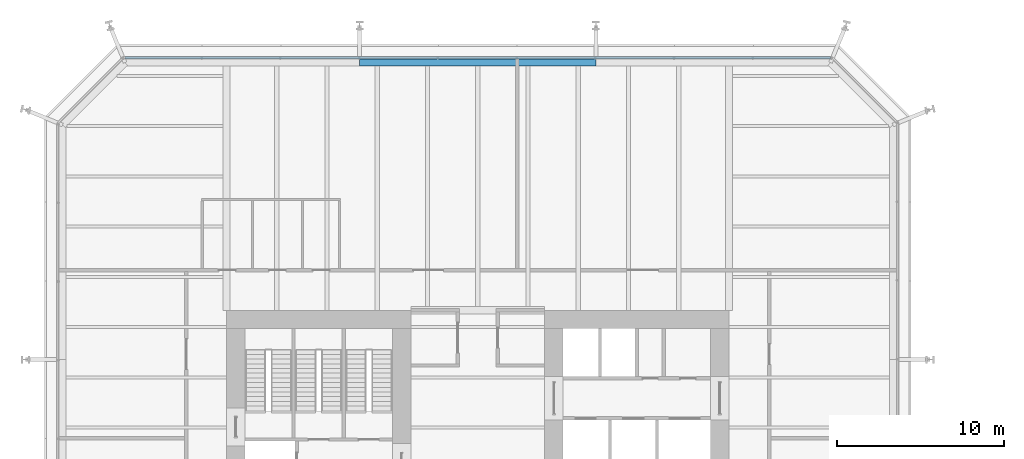
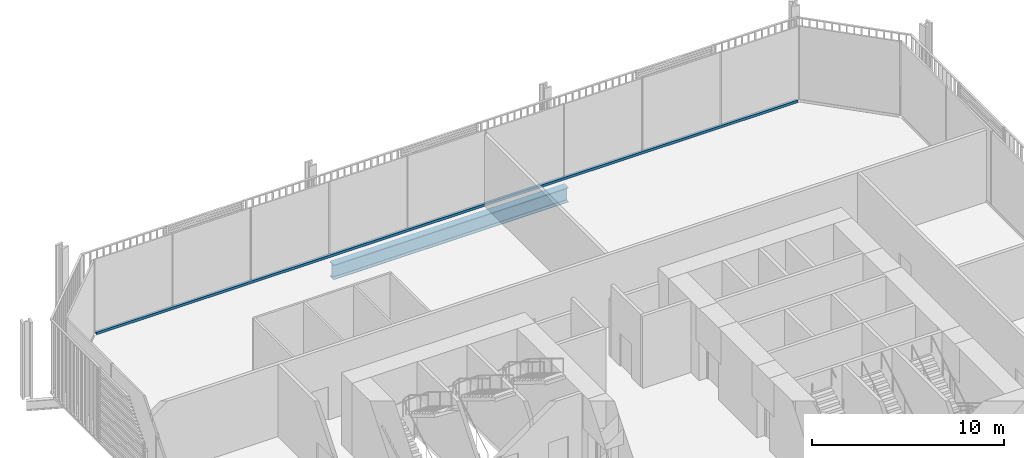
# One storey, part 10 of 21: 1 beam, 1 member, 1 element without a shape of its own.
"""IFC4 building model written with IfcOpenShell, lengths in metres."""

import ifcopenshell
import ifcopenshell.guid

model = None  # the IFC model being written
_history = None  # IfcOwnerHistory: only IFC2X3 demands one
_inside = {}  # id of a spatial element -> (the spatial element, [elements in it])
_under = {}  # id of a project, library or spatial element -> (it, [spatial elements below it])
_declared = {}  # id of a project -> (the project, [libraries it declares])
_typed = {}  # id of a type object -> (the type object, [elements of that type])
_made_of = {}  # id of a material, layer set ... -> (it, [elements and type objects made of it])


def new_model(schema):
    """Start an empty IFC model of exactly this schema.

    Asked for "IFC4X3", IfcOpenShell would pick the latest addendum, in which some entities
    have other attributes; the version numbers below select the first issue.
    IFC2X3 requires an IfcOwnerHistory on every rooted entity: one is made here for all.
    """
    global model, _history
    if schema == "IFC4X3":
        model = ifcopenshell.file(schema_version=(4, 3, 0, 0))
    else:
        model = ifcopenshell.file(schema=schema)
    _inside.clear()
    _under.clear()
    _declared.clear()
    _typed.clear()
    _made_of.clear()
    _history = None
    if model.schema == "IFC2X3":
        org = make("IfcOrganization", Name="unknown")
        user = make(
            "IfcPersonAndOrganization",
            ThePerson=make("IfcPerson", FamilyName="unknown"),
            TheOrganization=org,
        )
        app = make(
            "IfcApplication",
            ApplicationDeveloper=org,
            Version="unknown",
            ApplicationFullName="unknown",
            ApplicationIdentifier="unknown",
        )
        _history = make(
            "IfcOwnerHistory",
            OwningUser=user,
            OwningApplication=app,
            ChangeAction="ADDED",
            CreationDate=0,
        )
    return model


def make(cls, **values):
    """One entity of the class cls with the attributes given. An attribute that is None is left unset."""
    return model.create_entity(
        cls, **{name: value for name, value in values.items() if value is not None}
    )


def rooted(cls, **values):
    """An entity with a GlobalId (a new one), such as an element, a storey or a relation."""
    return make(cls, GlobalId=ifcopenshell.guid.new(), OwnerHistory=_history, **values)


def si_unit(unit_type, name, prefix=None):
    """IfcSIUnit, for example si_unit("LENGTHUNIT", "METRE", prefix="MILLI")."""
    return make("IfcSIUnit", UnitType=unit_type, Prefix=prefix, Name=name)


def assignment(units):
    """IfcUnitAssignment: the units of a project."""
    return None if units is None else make("IfcUnitAssignment", Units=units)


def point(xyz):
    """IfcCartesianPoint."""
    return None if xyz is None else make("IfcCartesianPoint", Coordinates=xyz)


def direction(xyz):
    """IfcDirection."""
    return None if xyz is None else make("IfcDirection", DirectionRatios=xyz)


def frame(location, z_axis=None, x_axis=None):
    """IfcAxis2Placement3D, a coordinate frame: its origin and axes. An axis left out is left unset."""
    return make(
        "IfcAxis2Placement3D",
        Location=point(location),
        Axis=direction(z_axis),
        RefDirection=direction(x_axis),
    )


def frame_2d(location, x_axis=None):
    """IfcAxis2Placement2D, a coordinate frame in the plane: its origin and x axis."""
    return make(
        "IfcAxis2Placement2D", Location=point(location), RefDirection=direction(x_axis)
    )


def origin():
    """The frame at (0, 0, 0) with its axes left unset."""
    return frame((0.0, 0.0, 0.0))


def origin_2d():
    """The frame at (0, 0) in the plane with its x axis left unset."""
    return frame_2d((0.0, 0.0))


def place(relative_to, where):
    """IfcLocalPlacement: puts the frame where relative to a parent placement (None: the world)."""
    return make(
        "IfcLocalPlacement", PlacementRelTo=relative_to, RelativePlacement=where
    )


def context(
    kind, dimensions, precision=None, world=None, true_north=None, identifier=None
):
    """IfcGeometricRepresentationContext, for example the 3D "Model" context."""
    return make(
        "IfcGeometricRepresentationContext",
        ContextIdentifier=identifier,
        ContextType=kind,
        CoordinateSpaceDimension=dimensions,
        Precision=precision,
        WorldCoordinateSystem=world,
        TrueNorth=true_north,
    )


def subcontext(parent, identifier, kind, view, scale=None):
    """IfcGeometricRepresentationSubContext, for example "Body" below "Model"."""
    return make(
        "IfcGeometricRepresentationSubContext",
        ContextIdentifier=identifier,
        ContextType=kind,
        ParentContext=parent,
        TargetScale=scale,
        TargetView=view,
    )


def project(units=None, contexts=None):
    """IfcProject with its units and contexts."""
    return rooted(
        "IfcProject",
        Name="project",
        RepresentationContexts=contexts,
        UnitsInContext=assignment(units),
    )


def spatial(cls, under=None, at=None, **own):
    """A site, building, storey or space (cls), placed at a placement, below another one or the project."""
    s = rooted(cls, ObjectPlacement=at, **own)
    if under is not None:
        _under.setdefault(under.id(), (under, []))[1].append(s)
    return s


def profile(cls, at=None, kind="AREA", **sizes):
    """A parametric profile (cls). Its sizes go by their IFC names, for example OverallWidth=200.0."""
    return make(cls, ProfileType=kind, Position=at, **sizes)


def rectangle(**sizes):
    """IfcRectangleProfileDef."""
    return profile("IfcRectangleProfileDef", **sizes)


def i_section(**sizes):
    """IfcIShapeProfileDef."""
    return profile("IfcIShapeProfileDef", **sizes)


def extrude(swept, where, along, depth):
    """IfcExtrudedAreaSolid: the profile swept, set in the frame where, extruded along a direction by depth."""
    return make(
        "IfcExtrudedAreaSolid",
        SweptArea=swept,
        Position=where,
        ExtrudedDirection=direction(along),
        Depth=depth,
    )


def shape(context_of_items, identifier, shape_type, items):
    """IfcShapeRepresentation: the items that make up one representation, for example the "Body"."""
    return make(
        "IfcShapeRepresentation",
        ContextOfItems=context_of_items,
        RepresentationIdentifier=identifier,
        RepresentationType=shape_type,
        Items=items,
    )


def material(Name=None, Category=None):
    """IfcMaterial."""
    return make("IfcMaterial", Name=Name, Category=Category)


def layer(
    of_material, thickness, ventilated=None, Name=None, Category=None, Priority=None
):
    """IfcMaterialLayer: one layer of a wall or slab, of a material (None: an air gap)."""
    return make(
        "IfcMaterialLayer",
        Material=of_material,
        LayerThickness=thickness,
        IsVentilated=ventilated,
        Name=Name,
        Category=Category,
        Priority=Priority,
    )


def layer_set(layers, Name=None):
    """IfcMaterialLayerSet."""
    return make("IfcMaterialLayerSet", MaterialLayers=layers, LayerSetName=Name)


def material_profile(
    of_material, cross_section, Name=None, Category=None, Priority=None
):
    """IfcMaterialProfile: a cross section and its material."""
    return make(
        "IfcMaterialProfile",
        Name=Name,
        Material=of_material,
        Profile=cross_section,
        Priority=Priority,
        Category=Category,
    )


def profile_set(profiles, Name=None, composite=None):
    """IfcMaterialProfileSet."""
    return make(
        "IfcMaterialProfileSet",
        Name=Name,
        MaterialProfiles=profiles,
        CompositeProfile=composite,
    )


def made_of(thing, what):
    """Note that an element or type object is made of a material, layer set ...; save() writes the relation."""
    if what is not None:
        _made_of.setdefault(what.id(), (what, []))[1].append(thing)
    return thing


def type_object(cls, material=None, **own):
    """A type object (cls), such as IfcWallType, which elements share."""
    return made_of(rooted(cls, **own), material)


def element(
    cls,
    number,
    at=None,
    inside=None,
    cuts=None,
    type_object=None,
    material=None,
    context=None,
    identifier="Body",
    shape_type=None,
    held_by="IfcProductDefinitionShape",
    body=None,
    shapes=None,
    **own,
):
    """One element of the class cls, such as IfcWall. Its Tag is "e" and its number.

    at: its placement. inside: the storey or other place that contains it. cuts: it is an
    opening in that element (IfcRelVoidsElement). A single representation is given by context,
    identifier, shape_type and body (its items); several are given by shapes. held_by: the class
    of the entity that holds the representations. save() writes the other relations.
    """
    e = rooted(cls, Tag="e%d" % number, ObjectPlacement=at, **own)
    if body is not None:
        shapes = [shape(context, identifier, shape_type, body)]
    if shapes is not None:
        e.Representation = make(held_by, Representations=shapes)
    if inside is not None:
        _inside.setdefault(inside.id(), (inside, []))[1].append(e)
    if cuts is not None:
        rooted(
            "IfcRelVoidsElement", RelatingBuildingElement=cuts, RelatedOpeningElement=e
        )
    if type_object is not None:
        _typed.setdefault(type_object.id(), (type_object, []))[1].append(e)
    return made_of(e, material)


def aggregate(whole, parts):
    """IfcRelAggregates: a whole, such as a stair, and the parts it consists of."""
    return rooted("IfcRelAggregates", RelatingObject=whole, RelatedObjects=parts)


def save(model, path):
    """Write the relations noted so far, then the file.

    IfcRelAggregates (storeys below a building ...), IfcRelContainedInSpatialStructure (elements
    in a storey), IfcRelDefinesByType, IfcRelAssociatesMaterial and IfcRelDeclares: one each for
    every whole, place, type object, material and project.
    """
    for whole, parts in _under.values():
        aggregate(whole, parts)
    for where, things in _inside.values():
        rooted(
            "IfcRelContainedInSpatialStructure",
            RelatedElements=things,
            RelatingStructure=where,
        )
    for kind, things in _typed.values():
        rooted("IfcRelDefinesByType", RelatedObjects=things, RelatingType=kind)
    for what, things in _made_of.values():
        rooted("IfcRelAssociatesMaterial", RelatedObjects=things, RelatingMaterial=what)
    for by, libraries in _declared.values():
        rooted("IfcRelDeclares", RelatingContext=by, RelatedDefinitions=libraries)
    model.write(path)


model = new_model("IFC4")

# Units and contexts
model_context = context("Model", 3, precision=1e-05, world=origin(), true_north=direction((0.0, 1.0)))
body_context = subcontext(model_context, "Body", "Model", "MODEL_VIEW")
ifc_project = project(units=[si_unit("LENGTHUNIT", "METRE"), si_unit("AREAUNIT", "SQUARE_METRE"), si_unit("VOLUMEUNIT", "CUBIC_METRE"), si_unit("PLANEANGLEUNIT", "RADIAN"), si_unit("MASSUNIT", "GRAM", prefix="KILO")], contexts=[model_context])

# Site, building, storey
site_placement = place(None, origin())
site = spatial("IfcSite", under=ifc_project, at=site_placement, CompositionType="ELEMENT")
building_placement = place(site_placement, origin())
building = spatial("IfcBuilding", under=site, at=building_placement, Name="Millrace Tower", CompositionType="ELEMENT")
storey_placement = place(building_placement, frame((0.0, 0.0, 16.10009765625)))
storey = spatial("IfcBuildingStorey", under=building, at=storey_placement, Name="L04", CompositionType="ELEMENT", Elevation=16.10009765625)

# Curtain wall, member
ifc_material_1 = material(Name="Aluminium and glass", Category="aluminium")
ifc_layer = layer(ifc_material_1, 0.14990234375)
ifc_layer_set = layer_set([ifc_layer], Name="Aluminium and glass")
curtain_wall_type = type_object("IfcCurtainWallType", Name="CW-2 data hall insulated curtain wall", PredefinedType="NOTDEFINED", material=ifc_layer_set)
curtain_wall_placement = place(storey_placement, origin())
curtain_wall = element("IfcCurtainWall", 1, at=curtain_wall_placement, inside=storey, type_object=curtain_wall_type, Name="Curtain wall A-F06 L04", PredefinedType="NOTDEFINED")
ifc_material_2 = material(Name="Aluminium", Category="aluminium")
ifc_material_profile_1 = material_profile(ifc_material_2, rectangle(XDim=0.14990234375, YDim=0.159912109375, at=origin_2d()))
ifc_profile_set_1 = profile_set([ifc_material_profile_1], Name="Aluminium")
member_type = type_object("IfcMemberType", Name="CW-2 data hall insulated curtain wall transom", PredefinedType="USERDEFINED", material=ifc_profile_set_1)
member_placement = place(storey_placement, frame((21.050048828125, 25.074951171875, 0.079833984375), z_axis=(-1.0, 0.0, 0.0), x_axis=(0.0, -1.0, 0.0)))
member = element("IfcMember", 2, at=member_placement, type_object=member_type, Name="CW2 transom A-F06.1", ObjectType="TRANSOM", PredefinedType="USERDEFINED", context=body_context, shape_type="SweptSolid", body=[
    extrude(rectangle(XDim=0.14990234375, YDim=0.159912109375, at=origin_2d()), origin(), (0.0, 0.0, 1.0), 42.10009765625),
])
aggregate(curtain_wall, [member])

# Beam
ifc_material_3 = material(Name="Steel ASTM A992 Grade 50", Category="steel")
ifc_material_profile_2 = material_profile(ifc_material_3, i_section(OverallWidth=0.421630859375, OverallDepth=0.937255859375, WebThickness=0.021240234375, FlangeThickness=0.03662109375, FilletRadius=0.024169921875, at=origin_2d()))
ifc_profile_set_2 = profile_set([ifc_material_profile_2], Name="Steel ASTM A992 Grade 50")
beam_type = type_object("IfcBeamType", Name="Ring beam medium span W36x262", PredefinedType="SPANDREL", material=ifc_profile_set_2)
beam_placement = place(storey_placement, frame((-7.050048828125, 24.7890625, -0.69384765625), z_axis=(1.0, 0.0, 0.0), x_axis=(0.0, 1.0, 0.0)))
element("IfcBeam", 3, at=beam_placement, inside=storey, type_object=beam_type, Name="RNG-A-L04-S1-06", PredefinedType="SPANDREL", context=body_context, shape_type="SweptSolid", body=[
    extrude(i_section(OverallWidth=0.421630859375, OverallDepth=0.937255859375, WebThickness=0.021240234375, FlangeThickness=0.03662109375, FilletRadius=0.024169921875, at=origin_2d()), origin(), (0.0, 0.0, 1.0), 14.10009765625),
])

save(model, "model.ifc")
